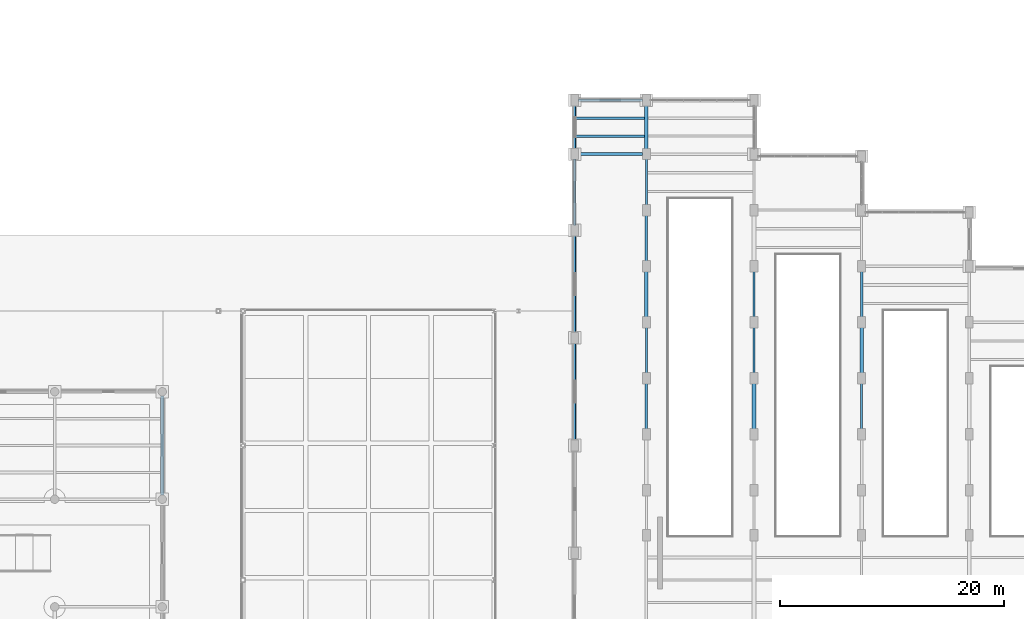
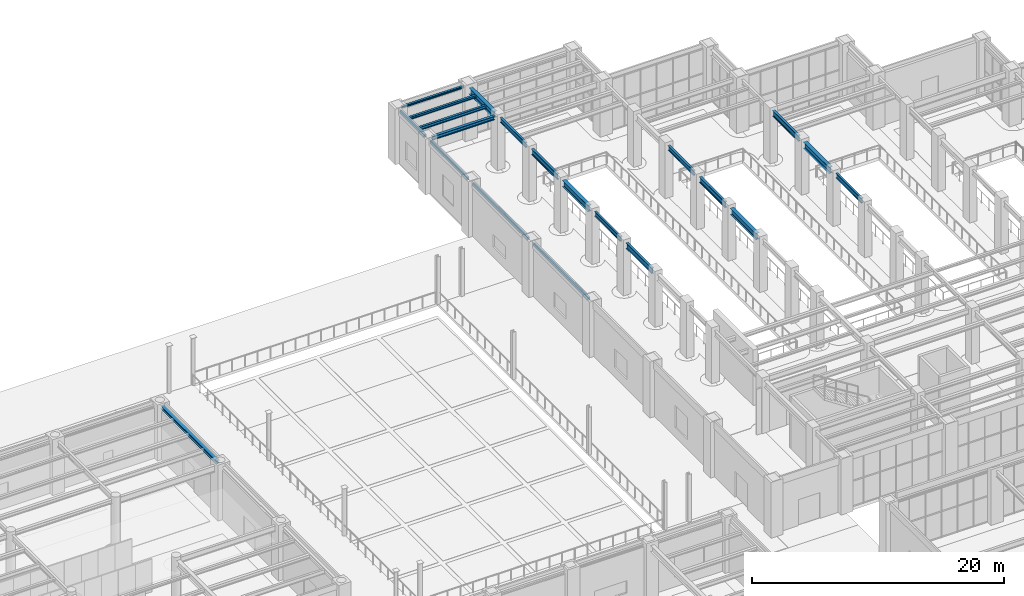
# One storey, part 83 of 164: 21 beams.
"""IFC4 building model written with IfcOpenShell, lengths in metres."""

from ifc_helpers import new_model, si_unit, direction, frame, origin, origin_2d, place, context, subcontext, project, spatial, hollow_rectangle, i_section, extrude, material, material_profile, profile_set, type_object, element, save


model = new_model("IFC4")

# Units and contexts
model_context = context("Model", 3, precision=1e-05, world=origin(), true_north=direction((0.0, 1.0)))
body_context = subcontext(model_context, "Body", "Model", "MODEL_VIEW")
ifc_project = project(units=[si_unit("LENGTHUNIT", "METRE"), si_unit("AREAUNIT", "SQUARE_METRE"), si_unit("VOLUMEUNIT", "CUBIC_METRE"), si_unit("PLANEANGLEUNIT", "RADIAN"), si_unit("MASSUNIT", "GRAM", prefix="KILO")], contexts=[model_context])

# Site, building, storey
site_placement = place(None, origin())
site = spatial("IfcSite", under=ifc_project, at=site_placement, CompositionType="ELEMENT")
building_placement = place(site_placement, origin())
building = spatial("IfcBuilding", under=site, at=building_placement, Name="Mavantir Sound Aquarium", CompositionType="ELEMENT")
storey_placement = place(building_placement, origin())
storey = spatial("IfcBuildingStorey", under=building, at=storey_placement, Name="L00", CompositionType="ELEMENT", Elevation=0.0)

# Beams
ifc_material_1 = material(Name="Hollow Structural Steel ASTM A500 GrC", Category="steel")
ifc_material_profile_1 = material_profile(ifc_material_1, hollow_rectangle(XDim=0.199951171875, YDim=0.300048828125, WallThickness=0.012451171875, InnerFilletRadius=0.012451171875, OuterFilletRadius=0.02490234375, at=origin_2d()), Name="RHS 300X200X12.5")
ifc_profile_set_1 = profile_set([ifc_material_profile_1], Name="Hollow Structural Steel ASTM A500 GrC")
beam_type_1 = type_object("IfcBeamType", Name="BM-RHS300-E", PredefinedType="SPANDREL", material=ifc_profile_set_1)
for number, where, z_axis, x_axis, name in (
    (1, (101.60009765625, 65.25, 4.916015625), (0.0, 1.0, 0.0), (-1.0, 0.0, 0.0), "L00 primary girder SS-R30 959"),
    (2, (101.60009765625, 74.85009765625, 4.916015625), (0.0, 1.0, 0.0), (-1.0, 0.0, 0.0), "L00 primary girder SS-R30 960"),
):
    element("IfcBeam", number, at=place(storey_placement, frame(where, z_axis=z_axis, x_axis=x_axis)), inside=storey, type_object=beam_type_1, Name=name, PredefinedType="SPANDREL", context=body_context, shape_type="SweptSolid", body=[
        extrude(hollow_rectangle(XDim=0.199951171875, YDim=0.300048828125, WallThickness=0.012451171875, InnerFilletRadius=0.012451171875, OuterFilletRadius=0.02490234375, at=origin_2d()), origin(), (0.0, 0.0, 1.0), 8.699951171875),
    ])
beam_1_placement = place(storey_placement, frame((101.60009765625, 84.449951171875, 4.916015625), z_axis=(0.0, 1.0, 0.0), x_axis=(-1.0, 0.0, 0.0)))
element("IfcBeam", 3, at=beam_1_placement, inside=storey, type_object=beam_type_1, Name="L00 primary girder SS-R30 961", PredefinedType="SPANDREL", context=body_context, shape_type="SweptSolid", body=[
    extrude(hollow_rectangle(XDim=0.199951171875, YDim=0.300048828125, WallThickness=0.012451171875, InnerFilletRadius=0.012451171875, OuterFilletRadius=0.02490234375, at=origin_2d()), origin(), (0.0, 0.0, 1.0), 5.900146484375),
])
beam_2_placement = place(storey_placement, frame((101.60009765625, 91.25, 4.916015625), z_axis=(0.0, 1.0, 0.0), x_axis=(-1.0, 0.0, 0.0)))
element("IfcBeam", 4, at=beam_2_placement, inside=storey, type_object=beam_type_1, Name="L00 primary girder SS-R30 962", PredefinedType="SPANDREL", context=body_context, shape_type="SweptSolid", body=[
    extrude(hollow_rectangle(XDim=0.199951171875, YDim=0.300048828125, WallThickness=0.012451171875, InnerFilletRadius=0.012451171875, OuterFilletRadius=0.02490234375, at=origin_2d()), origin(), (0.0, 0.0, 1.0), 3.89990234375),
])
ifc_material_2 = material(Name="Structural Steel ASTM A992 Gr50", Category="steel")
ifc_material_profile_2 = material_profile(ifc_material_2, i_section(OverallWidth=0.202880859375, OverallDepth=0.202880859375, WebThickness=0.007080078125, FlangeThickness=0.010986328125, FilletRadius=0.010009765625, at=origin_2d()), Name="W200X46")
ifc_profile_set_2 = profile_set([ifc_material_profile_2], Name="Structural Steel ASTM A992 Gr50")
beam_type_2 = type_object("IfcBeamType", Name="BM-W200X46-E", PredefinedType="LINTEL", material=ifc_profile_set_2)
beam_3_placement = place(storey_placement, frame((101.949951171875, 95.60009765625, 4.964599609375), z_axis=(1.0, 0.0, 0.0), x_axis=(0.0, 1.0, 0.0)))
element("IfcBeam", 5, at=beam_3_placement, inside=storey, type_object=beam_type_2, Name="L00 primary beam SL-20 954", PredefinedType="LINTEL", context=body_context, shape_type="SweptSolid", body=[
    extrude(i_section(OverallWidth=0.202880859375, OverallDepth=0.202880859375, WebThickness=0.007080078125, FlangeThickness=0.010986328125, FilletRadius=0.010009765625, at=origin_2d()), origin(), (0.0, 0.0, 1.0), 5.699951171875),
])
ifc_material_profile_3 = material_profile(ifc_material_2, i_section(OverallWidth=0.202880859375, OverallDepth=0.251953125, WebThickness=0.008056640625, FlangeThickness=0.013427734375, FilletRadius=0.011962890625, at=origin_2d()), Name="W250X58")
ifc_profile_set_3 = profile_set([ifc_material_profile_3], Name="Structural Steel ASTM A992 Gr50")
beam_type_3 = type_object("IfcBeamType", Name="BM-W250X58-I", PredefinedType="JOIST", material=ifc_profile_set_3)
beam_4_placement = place(storey_placement, frame((101.699951171875, 94.0, 4.93994140625), z_axis=(1.0, 0.0, 0.0), x_axis=(0.0, 1.0, 0.0)))
element("IfcBeam", 6, at=beam_4_placement, inside=storey, type_object=beam_type_3, Name="L00 secondary floor joist SJ-25 572", PredefinedType="JOIST", context=body_context, shape_type="SweptSolid", body=[
    extrude(i_section(OverallWidth=0.202880859375, OverallDepth=0.251953125, WebThickness=0.008056640625, FlangeThickness=0.013427734375, FilletRadius=0.011962890625, at=origin_2d()), origin(), (0.0, 0.0, 1.0), 6.137939453125),
])
ifc_material_profile_4 = material_profile(ifc_material_2, i_section(OverallWidth=0.205078125, OverallDepth=0.31005859375, WebThickness=0.009521484375, FlangeThickness=0.016357421875, FilletRadius=0.012939453125, at=origin_2d()), Name="W310X74")
ifc_profile_set_4 = profile_set([ifc_material_profile_4], Name="Structural Steel ASTM A992 Gr50")
beam_type_4 = type_object("IfcBeamType", Name="BM-W310X74-I", PredefinedType="JOIST", material=ifc_profile_set_4)
beam_5_placement = place(storey_placement, frame((101.699951171875, 92.39990234375, 4.910888671875), z_axis=(1.0, 0.0, 0.0), x_axis=(0.0, 1.0, 0.0)))
element("IfcBeam", 7, at=beam_5_placement, inside=storey, type_object=beam_type_4, Name="L00 secondary floor joist SJ-31 571", PredefinedType="JOIST", context=body_context, shape_type="SweptSolid", body=[
    extrude(i_section(OverallWidth=0.205078125, OverallDepth=0.31005859375, WebThickness=0.009521484375, FlangeThickness=0.016357421875, FilletRadius=0.012939453125, at=origin_2d()), origin(), (0.0, 0.0, 1.0), 6.137939453125),
])
ifc_material_profile_5 = material_profile(ifc_material_2, i_section(OverallWidth=0.304931640625, OverallDepth=0.30810546875, WebThickness=0.010009765625, FlangeThickness=0.015380859375, FilletRadius=0.014892578125, at=origin_2d()), Name="W310X97")
ifc_profile_set_5 = profile_set([ifc_material_profile_5], Name="Structural Steel ASTM A992 Gr50")
beam_type_5 = type_object("IfcBeamType", Name="BM-W310X97-E", PredefinedType="SPANDREL", material=ifc_profile_set_5)
beam_6_placement = place(storey_placement, frame((64.800048828125, 60.375, 4.94189453125), z_axis=(0.0, 1.0, 0.0), x_axis=(-1.0, 0.0, 0.0)))
element("IfcBeam", 8, at=beam_6_placement, inside=storey, type_object=beam_type_5, Name="L00 primary girder SS-31A 887", PredefinedType="SPANDREL", context=body_context, shape_type="SweptSolid", body=[
    extrude(i_section(OverallWidth=0.304931640625, OverallDepth=0.30810546875, WebThickness=0.010009765625, FlangeThickness=0.015380859375, FilletRadius=0.014892578125, at=origin_2d()), origin(), (0.0, 0.0, 1.0), 8.85009765625),
])
ifc_material_profile_6 = material_profile(ifc_material_2, i_section(OverallWidth=0.257080078125, OverallDepth=0.363037109375, WebThickness=0.012939453125, FlangeThickness=0.021728515625, FilletRadius=0.014892578125, at=origin_2d()), Name="W360X122")
ifc_profile_set_6 = profile_set([ifc_material_profile_6], Name="Structural Steel ASTM A992 Gr50")
beam_type_6 = type_object("IfcBeamType", Name="BM-W360X122-I", PredefinedType="BEAM", material=ifc_profile_set_6)
beam_7_placement = place(storey_placement, frame((101.949951171875, 90.800048828125, 4.884521484375), z_axis=(1.0, 0.0, 0.0), x_axis=(0.0, 1.0, 0.0)))
element("IfcBeam", 9, at=beam_7_placement, inside=storey, type_object=beam_type_6, Name="L00 primary beam SB-36A 952", PredefinedType="BEAM", context=body_context, shape_type="SweptSolid", body=[
    extrude(i_section(OverallWidth=0.257080078125, OverallDepth=0.363037109375, WebThickness=0.012939453125, FlangeThickness=0.021728515625, FilletRadius=0.014892578125, at=origin_2d()), origin(), (0.0, 0.0, 1.0), 5.699951171875),
])
ifc_material_profile_7 = material_profile(ifc_material_2, i_section(OverallWidth=0.194091796875, OverallDepth=0.468994140625, WebThickness=0.0126953125, FlangeThickness=0.0205078125, FilletRadius=0.01611328125, at=origin_2d()), Name="W460X106")
ifc_profile_set_7 = profile_set([ifc_material_profile_7], Name="Structural Steel ASTM A992 Gr50")
beam_type_7 = type_object("IfcBeamType", Name="BM-W460X106-I", PredefinedType="BEAM", material=ifc_profile_set_7)
for number, where, z_axis, x_axis, name in (
    (10, (108.0, 71.25, 4.83154296875), (0.0, 1.0, 0.0), (-1.0, 0.0, 0.0), "L00 primary girder SB-46 969"),
    (11, (108.0, 86.25, 4.83154296875), (0.0, 1.0, 0.0), (-1.0, 0.0, 0.0), "L00 primary girder SB-46 972"),
    (12, (117.60009765625, 76.25, 4.83154296875), (0.0, 1.0, 0.0), (-1.0, 0.0, 0.0), "L00 primary girder SB-46 981"),
    (13, (127.199951171875, 66.25, 4.8515625), (0.0, 1.0, 0.0), (-1.0, 0.0, 0.0), "L00 primary girder SB-46 990"),
):
    element("IfcBeam", number, at=place(storey_placement, frame(where, z_axis=z_axis, x_axis=x_axis)), inside=storey, type_object=beam_type_7, Name=name, PredefinedType="BEAM", context=body_context, shape_type="SweptSolid", body=[
        extrude(i_section(OverallWidth=0.194091796875, OverallDepth=0.468994140625, WebThickness=0.0126953125, FlangeThickness=0.0205078125, FilletRadius=0.01611328125, at=origin_2d()), origin(), (0.0, 0.0, 1.0), 4.10009765625),
    ])
ifc_material_profile_8 = material_profile(ifc_material_2, i_section(OverallWidth=0.2119140625, OverallDepth=0.5439453125, WebThickness=0.01318359375, FlangeThickness=0.021240234375, FilletRadius=0.01806640625, at=origin_2d()), Name="W530X123")
ifc_profile_set_8 = profile_set([ifc_material_profile_8], Name="Structural Steel ASTM A992 Gr50")
beam_type_8 = type_object("IfcBeamType", Name="BM-W530X123-I", PredefinedType="BEAM", material=ifc_profile_set_8)
for number, where, z_axis, x_axis, name in (
    (14, (108.0, 66.25, 4.7939453125), (0.0, 1.0, 0.0), (-1.0, 0.0, 0.0), "L00 primary girder SB-53 968"),
    (15, (108.0, 81.25, 4.7939453125), (0.0, 1.0, 0.0), (-1.0, 0.0, 0.0), "L00 primary girder SB-53 971"),
    (16, (117.60009765625, 71.25, 4.7939453125), (0.0, 1.0, 0.0), (-1.0, 0.0, 0.0), "L00 primary girder SB-53 980"),
    (17, (127.199951171875, 76.25, 4.81396484375), (0.0, 1.0, 0.0), (-1.0, 0.0, 0.0), "L00 primary girder SB-53 992"),
):
    element("IfcBeam", number, at=place(storey_placement, frame(where, z_axis=z_axis, x_axis=x_axis)), inside=storey, type_object=beam_type_8, Name=name, PredefinedType="BEAM", context=body_context, shape_type="SweptSolid", body=[
        extrude(i_section(OverallWidth=0.2119140625, OverallDepth=0.5439453125, WebThickness=0.01318359375, FlangeThickness=0.021240234375, FilletRadius=0.01806640625, at=origin_2d()), origin(), (0.0, 0.0, 1.0), 4.10009765625),
    ])
ifc_material_profile_9 = material_profile(ifc_material_2, i_section(OverallWidth=0.323974609375, OverallDepth=0.611083984375, WebThickness=0.0126953125, FlangeThickness=0.01904296875, FilletRadius=0.01904296875, at=origin_2d()), Name="W610X155")
ifc_profile_set_9 = profile_set([ifc_material_profile_9], Name="Structural Steel ASTM A992 Gr50")
beam_type_9 = type_object("IfcBeamType", Name="BM-W610X155-I", PredefinedType="BEAM", material=ifc_profile_set_9)
beam_8_placement = place(storey_placement, frame((108.0, 76.25, 4.760498046875), z_axis=(0.0, 1.0, 0.0), x_axis=(-1.0, 0.0, 0.0)))
element("IfcBeam", 18, at=beam_8_placement, inside=storey, type_object=beam_type_9, Name="L00 primary girder SB-61A 970", PredefinedType="BEAM", context=body_context, shape_type="SweptSolid", body=[
    extrude(i_section(OverallWidth=0.323974609375, OverallDepth=0.611083984375, WebThickness=0.0126953125, FlangeThickness=0.01904296875, FilletRadius=0.01904296875, at=origin_2d()), origin(), (0.0, 0.0, 1.0), 4.10009765625),
])
beam_9_placement = place(storey_placement, frame((108.0, 91.25, 4.760498046875), z_axis=(0.0, 1.0, 0.0), x_axis=(-1.0, 0.0, 0.0)))
element("IfcBeam", 19, at=beam_9_placement, inside=storey, type_object=beam_type_9, Name="L00 primary girder SB-61A 973", PredefinedType="BEAM", context=body_context, shape_type="SweptSolid", body=[
    extrude(i_section(OverallWidth=0.323974609375, OverallDepth=0.611083984375, WebThickness=0.0126953125, FlangeThickness=0.01904296875, FilletRadius=0.01904296875, at=origin_2d()), origin(), (0.0, 0.0, 1.0), 3.89990234375),
])
for number, where, z_axis, x_axis, name in (
    (20, (117.60009765625, 66.25, 4.760498046875), (0.0, 1.0, 0.0), (-1.0, 0.0, 0.0), "L00 primary girder SB-61A 979"),
    (21, (127.199951171875, 71.25, 4.780517578125), (0.0, 1.0, 0.0), (-1.0, 0.0, 0.0), "L00 primary girder SB-61A 991"),
):
    element("IfcBeam", number, at=place(storey_placement, frame(where, z_axis=z_axis, x_axis=x_axis)), inside=storey, type_object=beam_type_9, Name=name, PredefinedType="BEAM", context=body_context, shape_type="SweptSolid", body=[
        extrude(i_section(OverallWidth=0.323974609375, OverallDepth=0.611083984375, WebThickness=0.0126953125, FlangeThickness=0.01904296875, FilletRadius=0.01904296875, at=origin_2d()), origin(), (0.0, 0.0, 1.0), 4.10009765625),
    ])

save(model, "model.ifc")
